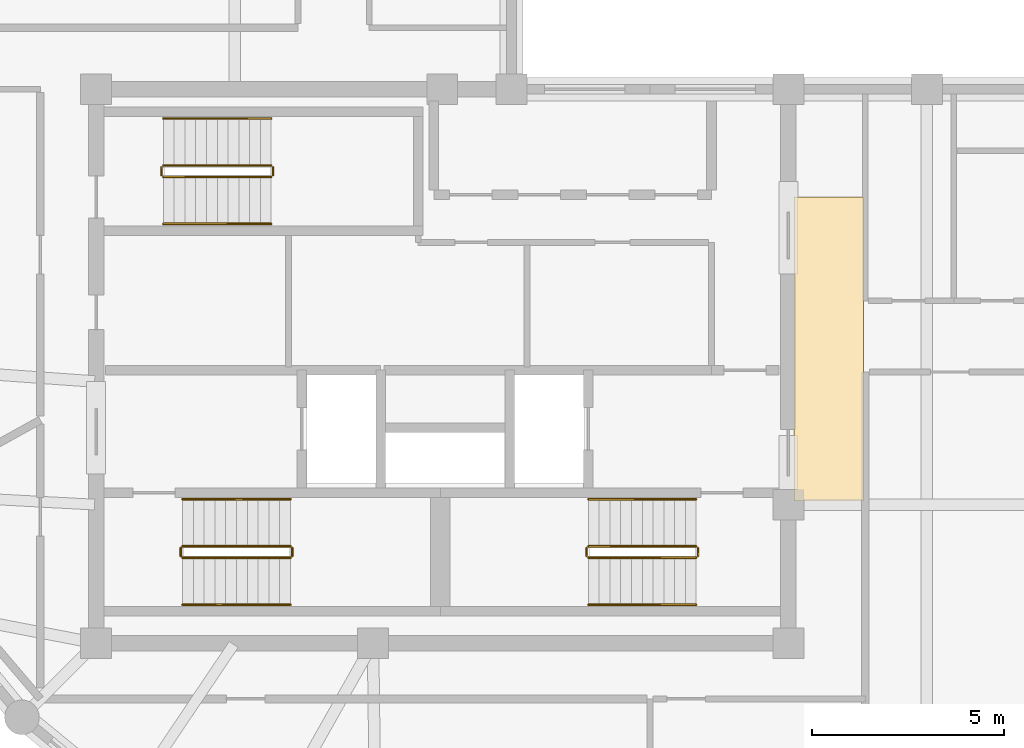
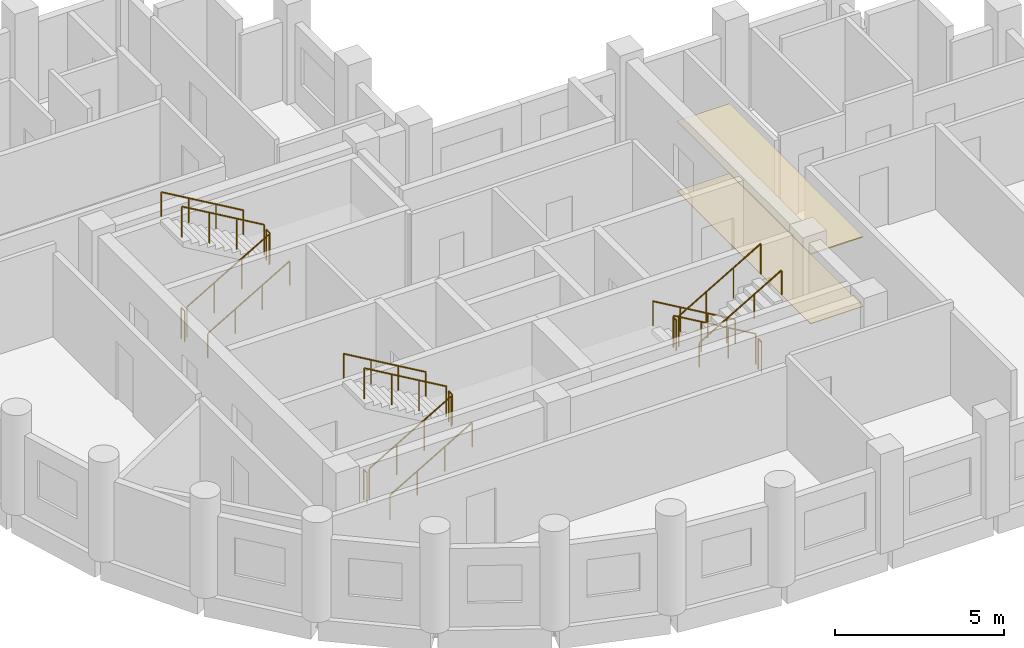
# One storey, part 6 of 6: 18 railings, 2 coverings.
"""IFC4 building model written with IfcOpenShell, lengths in metres."""

from ifc_helpers import new_model, si_unit, direction, frame, origin, origin_2d, place, context, subcontext, project, spatial, polyline, circle, outline, extrude, material, layer, layer_set, type_object, element, save


model = new_model("IFC4")

# Units and contexts
model_context = context("Model", 3, precision=1e-05, world=origin(), true_north=direction((0.0, 1.0)))
body_context = subcontext(model_context, "Body", "Model", "MODEL_VIEW")
ifc_project = project(units=[si_unit("LENGTHUNIT", "METRE"), si_unit("AREAUNIT", "SQUARE_METRE"), si_unit("VOLUMEUNIT", "CUBIC_METRE"), si_unit("PLANEANGLEUNIT", "RADIAN"), si_unit("MASSUNIT", "GRAM", prefix="KILO")], contexts=[model_context])

# Site, building, storey
site_placement = place(None, origin())
site = spatial("IfcSite", under=ifc_project, at=site_placement, CompositionType="ELEMENT")
building_placement = place(site_placement, origin())
building = spatial("IfcBuilding", under=site, at=building_placement, Name="Solnavia Interchange Tower", CompositionType="ELEMENT")
storey_placement = place(building_placement, frame((0.0, 0.0, 277.39990234375)))
storey = spatial("IfcBuildingStorey", under=building, at=storey_placement, Name="L70", CompositionType="ELEMENT", Elevation=277.39990234375)

# Coverings
ifc_material_1 = material(Name="Perforated Mineral-Fibre & Gypsum Ceiling", Category="gypsum")
ifc_layer_1 = layer(ifc_material_1, 0.0400390625)
ifc_layer_set_1 = layer_set([ifc_layer_1], Name="Perforated Mineral-Fibre & Gypsum Ceiling")
covering_type_1 = type_object("IfcCoveringType", Name="Covering-Ceiling-Acoustic40", PredefinedType="CEILING", material=ifc_layer_set_1)
covering_1_placement = place(storey_placement, frame((0.0, 0.0, 2.5)))
element("IfcCovering", 1, at=covering_1_placement, inside=storey, type_object=covering_type_1, Name="CLG-L70-01 Circulation suspended acoustic ceiling", PredefinedType="CEILING", context=body_context, shape_type="SweptSolid", body=[
    extrude(outline(polyline([(32.550048828125, 14.5), (34.35009765625, 14.5), (34.35009765625, 22.39990234375), (32.550048828125, 22.39990234375), (32.550048828125, 14.5)])), origin(), (0.0, 0.0, 1.0), 0.0400390625),
])
ifc_material_2 = material(Name="Engineered European Oak Flooring", Category="wood")
ifc_layer_2 = layer(ifc_material_2, 0.02001953125)
ifc_layer_set_2 = layer_set([ifc_layer_2], Name="Engineered European Oak Flooring")
covering_type_2 = type_object("IfcCoveringType", Name="Covering-Flooring-Timber20", PredefinedType="FLOORING", material=ifc_layer_set_2)
covering_2_placement = place(storey_placement, origin())
element("IfcCovering", 2, at=covering_2_placement, inside=storey, type_object=covering_type_2, Name="FLR-L70-01 Circulation floor finish", PredefinedType="FLOORING", context=body_context, shape_type="SweptSolid", body=[
    extrude(outline(polyline([(32.550048828125, 14.5), (34.35009765625, 14.5), (34.35009765625, 22.39990234375), (32.550048828125, 22.39990234375), (32.550048828125, 14.5)])), origin(), (0.0, 0.0, 1.0), 0.02001953125),
])

# Railings
ifc_material_3 = material(Name="Painted Steel Balustrade", Category="steel")
railing_type_1 = type_object("IfcRailingType", Name="Railing-StairGuard-1100", PredefinedType="GUARDRAIL", material=ifc_material_3)
railing_1_placement = place(storey_placement, frame((16.64990234375, 13.02001953125, 0.163818359375)))
element("IfcRailing", 3, at=railing_1_placement, inside=storey, type_object=railing_type_1, Name="L70 ST-1 stair guard 1", PredefinedType="GUARDRAIL", context=body_context, shape_type="SweptSolid", body=[
    extrude(circle(Radius=0.02392578125, at=origin_2d()), frame((0.0, 0.0, 1.09619140625), z_axis=(0.863393664356, 0.0, 0.504530851732), x_axis=(0.0, 1.0, 0.0)), (0.0, 0.0, 1.0), 3.2431640625),
    extrude(circle(Radius=0.02099609375, at=origin_2d()), origin(), (0.0, 0.0, 1.0), 1.072021484375),
    extrude(circle(Radius=0.02099609375, at=origin_2d()), frame((0.933349609375, 0.0, 0.54541015625)), (0.0, 0.0, 1.0), 1.072021484375),
    extrude(circle(Radius=0.02099609375, at=origin_2d()), frame((1.86669921875, 0.0, 1.0908203125)), (0.0, 0.0, 1.0), 1.072021484375),
    extrude(circle(Radius=0.02099609375, at=origin_2d()), frame((2.800048828125, 0.0, 1.63623046875)), (0.0, 0.0, 1.0), 1.072021484375),
])
railing_2_placement = place(storey_placement, frame((19.5, 13.070068359375, 1.800048828125)))
element("IfcRailing", 4, at=railing_2_placement, inside=storey, type_object=railing_type_1, Name="L70 ST-1 stair guard 2", PredefinedType="GUARDRAIL", context=body_context, shape_type="SweptSolid", body=[
    extrude(circle(Radius=0.02392578125, at=origin_2d()), frame((0.0, 0.0, 1.09619140625), z_axis=(0.0, 1.0, 0.0), x_axis=(-1.0, 0.0, 0.0)), (0.0, 0.0, 1.0), 0.199951171875),
    extrude(circle(Radius=0.02099609375, at=origin_2d()), origin(), (0.0, 0.0, 1.0), 1.072021484375),
    extrude(circle(Radius=0.02099609375, at=origin_2d()), frame((0.0, 0.199951171875, 0.0)), (0.0, 0.0, 1.0), 1.072021484375),
])
railing_3_placement = place(storey_placement, frame((19.449951171875, 13.320068359375, 1.963623046875)))
element("IfcRailing", 5, at=railing_3_placement, inside=storey, type_object=railing_type_1, Name="L70 ST-1 stair guard 3", PredefinedType="GUARDRAIL", context=body_context, shape_type="SweptSolid", body=[
    extrude(circle(Radius=0.02392578125, at=origin_2d()), frame((0.0, 0.0, 1.09619140625), z_axis=(-0.863360870873, 0.0, 0.504586966384), x_axis=(0.0, -1.0, 0.0)), (0.0, 0.0, 1.0), 3.2431640625),
    extrude(circle(Radius=0.02099609375, at=origin_2d()), origin(), (0.0, 0.0, 1.0), 1.072021484375),
    extrude(circle(Radius=0.02099609375, at=origin_2d()), frame((-0.933349609375, 0.0, 0.54541015625)), (0.0, 0.0, 1.0), 1.072021484375),
    extrude(circle(Radius=0.02099609375, at=origin_2d()), frame((-1.86669921875, 0.0, 1.091064453125)), (0.0, 0.0, 1.0), 1.072021484375),
    extrude(circle(Radius=0.02099609375, at=origin_2d()), frame((-2.800048828125, 0.0, 1.636474609375)), (0.0, 0.0, 1.0), 1.072021484375),
])
railing_4_placement = place(storey_placement, frame((16.60009765625, 13.070068359375, 0.0)))
element("IfcRailing", 6, at=railing_4_placement, inside=storey, type_object=railing_type_1, Name="L70 ST-1 stair guard 4", PredefinedType="GUARDRAIL", context=body_context, shape_type="SweptSolid", body=[
    extrude(circle(Radius=0.02392578125, at=origin_2d()), frame((0.0, 0.0, 1.09619140625), z_axis=(0.0, 1.0, 0.0), x_axis=(-1.0, 0.0, 0.0)), (0.0, 0.0, 1.0), 0.199951171875),
    extrude(circle(Radius=0.02099609375, at=origin_2d()), origin(), (0.0, 0.0, 1.0), 1.072021484375),
    extrude(circle(Radius=0.02099609375, at=origin_2d()), frame((0.0, 0.199951171875, 0.0)), (0.0, 0.0, 1.0), 1.072021484375),
])
railing_5_placement = place(storey_placement, frame((30.0, 13.320068359375, 0.163818359375)))
element("IfcRailing", 7, at=railing_5_placement, inside=storey, type_object=railing_type_1, Name="L70 ST-2 stair guard 1", PredefinedType="GUARDRAIL", context=body_context, shape_type="SweptSolid", body=[
    extrude(circle(Radius=0.02392578125, at=origin_2d()), frame((0.0, 0.0, 1.09619140625), z_axis=(-0.863393664356, 0.0, 0.504530851732), x_axis=(0.0, -1.0, 0.0)), (0.0, 0.0, 1.0), 3.2431640625),
    extrude(circle(Radius=0.02099609375, at=origin_2d()), origin(), (0.0, 0.0, 1.0), 1.072021484375),
    extrude(circle(Radius=0.02099609375, at=origin_2d()), frame((-0.933349609375, 0.0, 0.54541015625)), (0.0, 0.0, 1.0), 1.072021484375),
    extrude(circle(Radius=0.02099609375, at=origin_2d()), frame((-1.86669921875, 0.0, 1.0908203125)), (0.0, 0.0, 1.0), 1.072021484375),
    extrude(circle(Radius=0.02099609375, at=origin_2d()), frame((-2.800048828125, 0.0, 1.63623046875)), (0.0, 0.0, 1.0), 1.072021484375),
])
railing_6_placement = place(storey_placement, frame((27.14990234375, 13.27001953125, 1.800048828125)))
element("IfcRailing", 8, at=railing_6_placement, inside=storey, type_object=railing_type_1, Name="L70 ST-2 stair guard 2", PredefinedType="GUARDRAIL", context=body_context, shape_type="SweptSolid", body=[
    extrude(circle(Radius=0.02392578125, at=origin_2d()), frame((0.0, 0.0, 1.09619140625), z_axis=(0.0, -1.0, 0.0), x_axis=(1.0, 0.0, 0.0)), (0.0, 0.0, 1.0), 0.199951171875),
    extrude(circle(Radius=0.02099609375, at=origin_2d()), origin(), (0.0, 0.0, 1.0), 1.072021484375),
    extrude(circle(Radius=0.02099609375, at=origin_2d()), frame((0.0, -0.199951171875, 0.0)), (0.0, 0.0, 1.0), 1.072021484375),
])
railing_7_placement = place(storey_placement, frame((27.199951171875, 13.02001953125, 1.963623046875)))
element("IfcRailing", 9, at=railing_7_placement, inside=storey, type_object=railing_type_1, Name="L70 ST-2 stair guard 3", PredefinedType="GUARDRAIL", context=body_context, shape_type="SweptSolid", body=[
    extrude(circle(Radius=0.02392578125, at=origin_2d()), frame((0.0, 0.0, 1.09619140625), z_axis=(0.863360870873, 0.0, 0.504586966384), x_axis=(0.0, 1.0, 0.0)), (0.0, 0.0, 1.0), 3.2431640625),
    extrude(circle(Radius=0.02099609375, at=origin_2d()), origin(), (0.0, 0.0, 1.0), 1.072021484375),
    extrude(circle(Radius=0.02099609375, at=origin_2d()), frame((0.933349609375, 0.0, 0.54541015625)), (0.0, 0.0, 1.0), 1.072021484375),
    extrude(circle(Radius=0.02099609375, at=origin_2d()), frame((1.86669921875, 0.0, 1.091064453125)), (0.0, 0.0, 1.0), 1.072021484375),
    extrude(circle(Radius=0.02099609375, at=origin_2d()), frame((2.800048828125, 0.0, 1.636474609375)), (0.0, 0.0, 1.0), 1.072021484375),
])
railing_8_placement = place(storey_placement, frame((30.050048828125, 13.27001953125, 0.0)))
element("IfcRailing", 10, at=railing_8_placement, inside=storey, type_object=railing_type_1, Name="L70 ST-2 stair guard 4", PredefinedType="GUARDRAIL", context=body_context, shape_type="SweptSolid", body=[
    extrude(circle(Radius=0.02392578125, at=origin_2d()), frame((0.0, 0.0, 1.09619140625), z_axis=(0.0, -1.0, 0.0), x_axis=(1.0, 0.0, 0.0)), (0.0, 0.0, 1.0), 0.199951171875),
    extrude(circle(Radius=0.02099609375, at=origin_2d()), origin(), (0.0, 0.0, 1.0), 1.072021484375),
    extrude(circle(Radius=0.02099609375, at=origin_2d()), frame((0.0, -0.199951171875, 0.0)), (0.0, 0.0, 1.0), 1.072021484375),
])
railing_9_placement = place(storey_placement, frame((16.14990234375, 22.919921875, 0.163818359375)))
element("IfcRailing", 11, at=railing_9_placement, inside=storey, type_object=railing_type_1, Name="L70 ST-3 stair guard 1", PredefinedType="GUARDRAIL", context=body_context, shape_type="SweptSolid", body=[
    extrude(circle(Radius=0.02392578125, at=origin_2d()), frame((0.0, 0.0, 1.09619140625), z_axis=(0.863393664356, 0.0, 0.504530851732), x_axis=(0.0, 1.0, 0.0)), (0.0, 0.0, 1.0), 3.2431640625),
    extrude(circle(Radius=0.02099609375, at=origin_2d()), origin(), (0.0, 0.0, 1.0), 1.072021484375),
    extrude(circle(Radius=0.02099609375, at=origin_2d()), frame((0.933349609375, 0.0, 0.54541015625)), (0.0, 0.0, 1.0), 1.072021484375),
    extrude(circle(Radius=0.02099609375, at=origin_2d()), frame((1.86669921875, 0.0, 1.0908203125)), (0.0, 0.0, 1.0), 1.072021484375),
    extrude(circle(Radius=0.02099609375, at=origin_2d()), frame((2.800048828125, 0.0, 1.63623046875)), (0.0, 0.0, 1.0), 1.072021484375),
])
railing_10_placement = place(storey_placement, frame((19.0, 22.969970703125, 1.800048828125)))
element("IfcRailing", 12, at=railing_10_placement, inside=storey, type_object=railing_type_1, Name="L70 ST-3 stair guard 2", PredefinedType="GUARDRAIL", context=body_context, shape_type="SweptSolid", body=[
    extrude(circle(Radius=0.02392578125, at=origin_2d()), frame((0.0, 0.0, 1.09619140625), z_axis=(0.0, 1.0, 0.0), x_axis=(-1.0, 0.0, 0.0)), (0.0, 0.0, 1.0), 0.199951171875),
    extrude(circle(Radius=0.02099609375, at=origin_2d()), origin(), (0.0, 0.0, 1.0), 1.072021484375),
    extrude(circle(Radius=0.02099609375, at=origin_2d()), frame((0.0, 0.199951171875, 0.0)), (0.0, 0.0, 1.0), 1.072021484375),
])
railing_11_placement = place(storey_placement, frame((18.949951171875, 23.219970703125, 1.963623046875)))
element("IfcRailing", 13, at=railing_11_placement, inside=storey, type_object=railing_type_1, Name="L70 ST-3 stair guard 3", PredefinedType="GUARDRAIL", context=body_context, shape_type="SweptSolid", body=[
    extrude(circle(Radius=0.02392578125, at=origin_2d()), frame((0.0, 0.0, 1.09619140625), z_axis=(-0.863360870873, 0.0, 0.504586966384), x_axis=(0.0, -1.0, 0.0)), (0.0, 0.0, 1.0), 3.2431640625),
    extrude(circle(Radius=0.02099609375, at=origin_2d()), origin(), (0.0, 0.0, 1.0), 1.072021484375),
    extrude(circle(Radius=0.02099609375, at=origin_2d()), frame((-0.933349609375, 0.0, 0.54541015625)), (0.0, 0.0, 1.0), 1.072021484375),
    extrude(circle(Radius=0.02099609375, at=origin_2d()), frame((-1.86669921875, 0.0, 1.091064453125)), (0.0, 0.0, 1.0), 1.072021484375),
    extrude(circle(Radius=0.02099609375, at=origin_2d()), frame((-2.800048828125, 0.0, 1.636474609375)), (0.0, 0.0, 1.0), 1.072021484375),
])
railing_12_placement = place(storey_placement, frame((16.10009765625, 22.969970703125, 0.0)))
element("IfcRailing", 14, at=railing_12_placement, inside=storey, type_object=railing_type_1, Name="L70 ST-3 stair guard 4", PredefinedType="GUARDRAIL", context=body_context, shape_type="SweptSolid", body=[
    extrude(circle(Radius=0.02392578125, at=origin_2d()), frame((0.0, 0.0, 1.09619140625), z_axis=(0.0, 1.0, 0.0), x_axis=(-1.0, 0.0, 0.0)), (0.0, 0.0, 1.0), 0.199951171875),
    extrude(circle(Radius=0.02099609375, at=origin_2d()), origin(), (0.0, 0.0, 1.0), 1.072021484375),
    extrude(circle(Radius=0.02099609375, at=origin_2d()), frame((0.0, 0.199951171875, 0.0)), (0.0, 0.0, 1.0), 1.072021484375),
])
ifc_material_4 = material(Name="Brushed Stainless Steel", Category="steel")
railing_type_2 = type_object("IfcRailingType", Name="Railing-StairHandrail-900", PredefinedType="HANDRAIL", material=ifc_material_4)
railing_13_placement = place(storey_placement, frame((16.64990234375, 11.800048828125, 0.163818359375)))
element("IfcRailing", 15, at=railing_13_placement, inside=storey, type_object=railing_type_2, Name="L70 ST-1 stair handrail 1", PredefinedType="HANDRAIL", context=body_context, shape_type="SweptSolid", body=[
    extrude(circle(Radius=0.02392578125, at=origin_2d()), frame((0.0, 0.0, 0.8759765625), z_axis=(0.863393664356, 0.0, 0.504530851732), x_axis=(0.0, 1.0, 0.0)), (0.0, 0.0, 1.0), 3.2431640625),
    extrude(circle(Radius=0.02099609375, at=origin_2d()), origin(), (0.0, 0.0, 1.0), 0.851806640625),
    extrude(circle(Radius=0.02099609375, at=origin_2d()), frame((0.933349609375, 0.0, 0.54541015625)), (0.0, 0.0, 1.0), 0.851806640625),
    extrude(circle(Radius=0.02099609375, at=origin_2d()), frame((1.86669921875, 0.0, 1.0908203125)), (0.0, 0.0, 1.0), 0.851806640625),
    extrude(circle(Radius=0.02099609375, at=origin_2d()), frame((2.800048828125, 0.0, 1.63623046875)), (0.0, 0.0, 1.0), 0.851806640625),
])
railing_14_placement = place(storey_placement, frame((19.449951171875, 14.5400390625, 1.963623046875)))
element("IfcRailing", 16, at=railing_14_placement, inside=storey, type_object=railing_type_2, Name="L70 ST-1 stair handrail 2", PredefinedType="HANDRAIL", context=body_context, shape_type="SweptSolid", body=[
    extrude(circle(Radius=0.02392578125, at=origin_2d()), frame((0.0, 0.0, 0.8759765625), z_axis=(-0.863360870873, 0.0, 0.504586966384), x_axis=(0.0, -1.0, 0.0)), (0.0, 0.0, 1.0), 3.2431640625),
    extrude(circle(Radius=0.02099609375, at=origin_2d()), origin(), (0.0, 0.0, 1.0), 0.851806640625),
    extrude(circle(Radius=0.02099609375, at=origin_2d()), frame((-0.933349609375, 0.0, 0.54541015625)), (0.0, 0.0, 1.0), 0.851806640625),
    extrude(circle(Radius=0.02099609375, at=origin_2d()), frame((-1.86669921875, 0.0, 1.091064453125)), (0.0, 0.0, 1.0), 0.851806640625),
    extrude(circle(Radius=0.02099609375, at=origin_2d()), frame((-2.800048828125, 0.0, 1.636474609375)), (0.0, 0.0, 1.0), 0.851806640625),
])
railing_15_placement = place(storey_placement, frame((30.0, 14.5400390625, 0.163818359375)))
element("IfcRailing", 17, at=railing_15_placement, inside=storey, type_object=railing_type_2, Name="L70 ST-2 stair handrail 1", PredefinedType="HANDRAIL", context=body_context, shape_type="SweptSolid", body=[
    extrude(circle(Radius=0.02392578125, at=origin_2d()), frame((0.0, 0.0, 0.8759765625), z_axis=(-0.863393664356, 0.0, 0.504530851732), x_axis=(0.0, -1.0, 0.0)), (0.0, 0.0, 1.0), 3.2431640625),
    extrude(circle(Radius=0.02099609375, at=origin_2d()), origin(), (0.0, 0.0, 1.0), 0.851806640625),
    extrude(circle(Radius=0.02099609375, at=origin_2d()), frame((-0.933349609375, 0.0, 0.54541015625)), (0.0, 0.0, 1.0), 0.851806640625),
    extrude(circle(Radius=0.02099609375, at=origin_2d()), frame((-1.86669921875, 0.0, 1.0908203125)), (0.0, 0.0, 1.0), 0.851806640625),
    extrude(circle(Radius=0.02099609375, at=origin_2d()), frame((-2.800048828125, 0.0, 1.63623046875)), (0.0, 0.0, 1.0), 0.851806640625),
])
railing_16_placement = place(storey_placement, frame((27.199951171875, 11.800048828125, 1.963623046875)))
element("IfcRailing", 18, at=railing_16_placement, inside=storey, type_object=railing_type_2, Name="L70 ST-2 stair handrail 2", PredefinedType="HANDRAIL", context=body_context, shape_type="SweptSolid", body=[
    extrude(circle(Radius=0.02392578125, at=origin_2d()), frame((0.0, 0.0, 0.8759765625), z_axis=(0.863360870873, 0.0, 0.504586966384), x_axis=(0.0, 1.0, 0.0)), (0.0, 0.0, 1.0), 3.2431640625),
    extrude(circle(Radius=0.02099609375, at=origin_2d()), origin(), (0.0, 0.0, 1.0), 0.851806640625),
    extrude(circle(Radius=0.02099609375, at=origin_2d()), frame((0.933349609375, 0.0, 0.54541015625)), (0.0, 0.0, 1.0), 0.851806640625),
    extrude(circle(Radius=0.02099609375, at=origin_2d()), frame((1.86669921875, 0.0, 1.091064453125)), (0.0, 0.0, 1.0), 0.851806640625),
    extrude(circle(Radius=0.02099609375, at=origin_2d()), frame((2.800048828125, 0.0, 1.636474609375)), (0.0, 0.0, 1.0), 0.851806640625),
])
railing_17_placement = place(storey_placement, frame((16.14990234375, 21.699951171875, 0.163818359375)))
element("IfcRailing", 19, at=railing_17_placement, inside=storey, type_object=railing_type_2, Name="L70 ST-3 stair handrail 1", PredefinedType="HANDRAIL", context=body_context, shape_type="SweptSolid", body=[
    extrude(circle(Radius=0.02392578125, at=origin_2d()), frame((0.0, 0.0, 0.8759765625), z_axis=(0.863393664356, 0.0, 0.504530851732), x_axis=(0.0, 1.0, 0.0)), (0.0, 0.0, 1.0), 3.2431640625),
    extrude(circle(Radius=0.02099609375, at=origin_2d()), origin(), (0.0, 0.0, 1.0), 0.851806640625),
    extrude(circle(Radius=0.02099609375, at=origin_2d()), frame((0.933349609375, 0.0, 0.54541015625)), (0.0, 0.0, 1.0), 0.851806640625),
    extrude(circle(Radius=0.02099609375, at=origin_2d()), frame((1.86669921875, 0.0, 1.0908203125)), (0.0, 0.0, 1.0), 0.851806640625),
    extrude(circle(Radius=0.02099609375, at=origin_2d()), frame((2.800048828125, 0.0, 1.63623046875)), (0.0, 0.0, 1.0), 0.851806640625),
])
railing_18_placement = place(storey_placement, frame((18.949951171875, 24.43994140625, 1.963623046875)))
element("IfcRailing", 20, at=railing_18_placement, inside=storey, type_object=railing_type_2, Name="L70 ST-3 stair handrail 2", PredefinedType="HANDRAIL", context=body_context, shape_type="SweptSolid", body=[
    extrude(circle(Radius=0.02392578125, at=origin_2d()), frame((0.0, 0.0, 0.8759765625), z_axis=(-0.863360870873, 0.0, 0.504586966384), x_axis=(0.0, -1.0, 0.0)), (0.0, 0.0, 1.0), 3.2431640625),
    extrude(circle(Radius=0.02099609375, at=origin_2d()), origin(), (0.0, 0.0, 1.0), 0.851806640625),
    extrude(circle(Radius=0.02099609375, at=origin_2d()), frame((-0.933349609375, 0.0, 0.54541015625)), (0.0, 0.0, 1.0), 0.851806640625),
    extrude(circle(Radius=0.02099609375, at=origin_2d()), frame((-1.86669921875, 0.0, 1.091064453125)), (0.0, 0.0, 1.0), 0.851806640625),
    extrude(circle(Radius=0.02099609375, at=origin_2d()), frame((-2.800048828125, 0.0, 1.636474609375)), (0.0, 0.0, 1.0), 0.851806640625),
])

save(model, "model.ifc")
